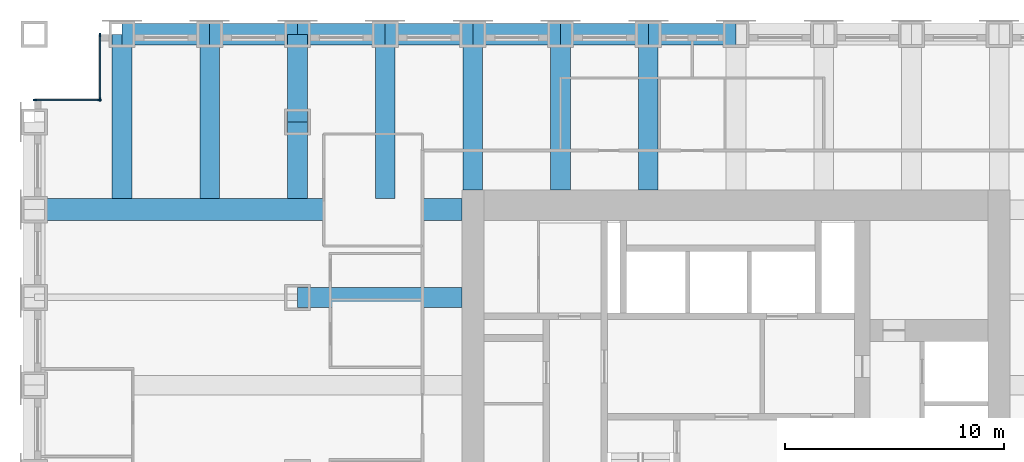
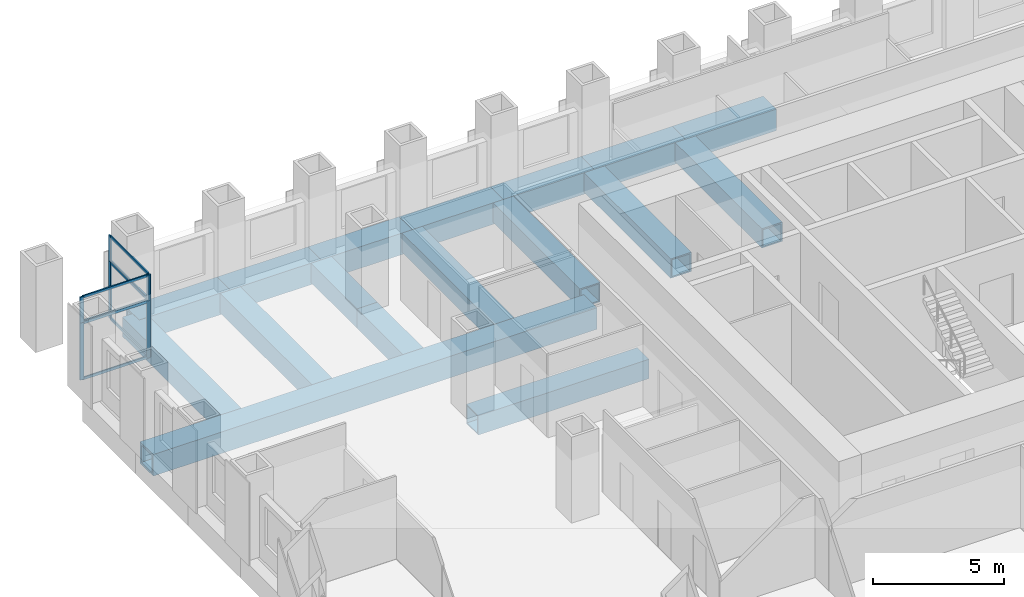
# One storey, part 6 of 15: 17 beams, 16 members, 4 elements without a shape of their own.
"""IFC4 building model written with IfcOpenShell, lengths in metres."""

from ifc_helpers import new_model, si_unit, direction, frame, origin, origin_2d, place, context, subcontext, project, spatial, rectangle, hollow_rectangle, extrude, material, material_profile, profile_set, type_object, element, aggregate, save


model = new_model("IFC4")

# Units and contexts
model_context = context("Model", 3, precision=1e-05, world=origin(), true_north=direction((0.0, 1.0)))
body_context = subcontext(model_context, "Body", "Model", "MODEL_VIEW")
ifc_project = project(units=[si_unit("LENGTHUNIT", "METRE"), si_unit("AREAUNIT", "SQUARE_METRE"), si_unit("VOLUMEUNIT", "CUBIC_METRE"), si_unit("PLANEANGLEUNIT", "RADIAN"), si_unit("MASSUNIT", "GRAM", prefix="KILO")], contexts=[model_context])

# Site, building, storey
site_placement = place(None, origin())
site = spatial("IfcSite", under=ifc_project, at=site_placement, CompositionType="ELEMENT")
building_placement = place(site_placement, origin())
building = spatial("IfcBuilding", under=site, at=building_placement, Name="Rimbunsela Tower", CompositionType="ELEMENT")
storey_placement = place(building_placement, frame((0.0, 0.0, 39.0)))
storey = spatial("IfcBuildingStorey", under=building, at=storey_placement, Name="L09", CompositionType="ELEMENT", Elevation=39.0)

# Beams
ifc_material_1 = material(Name="Steel BJ 55 (fy 410 MPa)", Category="steel")
ifc_material_profile_1 = material_profile(ifc_material_1, hollow_rectangle(XDim=1.0, YDim=1.0, WallThickness=0.10009765625, at=origin_2d()), Name="BOX 1000x1000x100")
ifc_profile_set_1 = profile_set([ifc_material_profile_1], Name="Steel BJ 55 (fy 410 MPa)")
beam_type_1 = type_object("IfcBeamType", Name="Beam BOX 1000x1000x100", PredefinedType="BEAM", material=ifc_profile_set_1)
beam_1_placement = place(storey_placement, frame((-2.0, 36.0, -0.64990234375), z_axis=(1.0, 0.0, 0.0), x_axis=(0.0, 1.0, 0.0)))
element("IfcBeam", 1, at=beam_1_placement, inside=storey, type_object=beam_type_1, Name="Beam B3 L09", PredefinedType="BEAM", context=body_context, shape_type="SweptSolid", body=[
    extrude(hollow_rectangle(XDim=1.0, YDim=1.0, WallThickness=0.10009765625, at=origin_2d()), origin(), (0.0, 0.0, 1.0), 19.5),
])
for number, where, z_axis, x_axis, name in (
    (2, (2.0, 44.0, -0.64990234375), (1.0, 0.0, 0.0), (0.0, 1.0, 0.0), "Beam B3 L09"),
    (3, (6.0, 44.0, -0.64990234375), (1.0, 0.0, 0.0), (0.0, 1.0, 0.0), "Beam B3 L09"),
    (4, (10.0, 44.0, -0.64990234375), (1.0, 0.0, 0.0), (0.0, 1.0, 0.0), "Beam B3 L09"),
    (5, (14.0, 44.0, -0.64990234375), (1.0, 0.0, 0.0), (0.0, 1.0, 0.0), "Beam B3 L09"),
    (6, (18.0, 44.0, -0.64990234375), (1.0, 0.0, 0.0), (0.0, 1.0, 0.0), "Beam B3 L09"),
    (7, (22.0, 44.0, -0.64990234375), (1.0, 0.0, 0.0), (0.0, 1.0, 0.0), "Beam B3 L09"),
    (8, (26.0, 44.0, -0.64990234375), (1.0, 0.0, 0.0), (0.0, 1.0, 0.0), "Beam B3 L09"),
):
    element("IfcBeam", number, at=place(storey_placement, frame(where, z_axis=z_axis, x_axis=x_axis)), inside=storey, type_object=beam_type_1, Name=name, PredefinedType="BEAM", context=body_context, shape_type="SweptSolid", body=[
        extrude(hollow_rectangle(XDim=1.0, YDim=1.0, WallThickness=0.10009765625, at=origin_2d()), origin(), (0.0, 0.0, 1.0), 4.0),
    ])
ifc_material_2 = material(Name="Steel BJ 55 (fy 410 MPa)", Category="steel")
ifc_material_profile_2 = material_profile(ifc_material_2, hollow_rectangle(XDim=0.89990234375, YDim=0.89990234375, WallThickness=0.06005859375, at=origin_2d()), Name="BOX 900x900x60")
ifc_profile_set_2 = profile_set([ifc_material_profile_2], Name="Steel BJ 55 (fy 410 MPa)")
beam_type_2 = type_object("IfcBeamType", Name="Beam BOX 900x900x60", PredefinedType="BEAM", material=ifc_profile_set_2)
for number, where, z_axis, x_axis, name in (
    (9, (2.0, 36.5, -0.60009765625), (0.0, 1.0, 0.0), (-1.0, 0.0, 0.0), "Beam B1 L09"),
    (10, (6.0, 36.5, -0.60009765625), (0.0, 1.0, 0.0), (-1.0, 0.0, 0.0), "Beam B1 L09"),
    (11, (10.0, 32.0, -0.60009765625), (1.0, 0.0, 0.0), (0.0, 1.0, 0.0), "Beam B1 L09"),
):
    element("IfcBeam", number, at=place(storey_placement, frame(where, z_axis=z_axis, x_axis=x_axis)), inside=storey, type_object=beam_type_2, Name=name, PredefinedType="BEAM", context=body_context, shape_type="SweptSolid", body=[
        extrude(hollow_rectangle(XDim=0.89990234375, YDim=0.89990234375, WallThickness=0.06005859375, at=origin_2d()), origin(), (0.0, 0.0, 1.0), 7.5),
    ])
beam_2_placement = place(storey_placement, frame((10.0, 36.5, -0.60009765625), z_axis=(0.0, 1.0, 0.0), x_axis=(-1.0, 0.0, 0.0)))
element("IfcBeam", 12, at=beam_2_placement, inside=storey, type_object=beam_type_2, Name="Beam B1 L09", PredefinedType="BEAM", context=body_context, shape_type="SweptSolid", body=[
    extrude(hollow_rectangle(XDim=0.89990234375, YDim=0.89990234375, WallThickness=0.06005859375, at=origin_2d()), origin(), (0.0, 0.0, 1.0), 3.5),
])
beam_3_placement = place(storey_placement, frame((10.0, 40.0, -0.60009765625), z_axis=(0.0, 1.0, 0.0), x_axis=(-1.0, 0.0, 0.0)))
element("IfcBeam", 13, at=beam_3_placement, inside=storey, type_object=beam_type_2, Name="Beam B1 L09", PredefinedType="BEAM", context=body_context, shape_type="SweptSolid", body=[
    extrude(hollow_rectangle(XDim=0.89990234375, YDim=0.89990234375, WallThickness=0.06005859375, at=origin_2d()), origin(), (0.0, 0.0, 1.0), 4.0),
])
beam_4_placement = place(storey_placement, frame((14.0, 36.5, -0.60009765625), z_axis=(0.0, 1.0, 0.0), x_axis=(-1.0, 0.0, 0.0)))
element("IfcBeam", 14, at=beam_4_placement, inside=storey, type_object=beam_type_2, Name="Beam B1 L09", PredefinedType="BEAM", context=body_context, shape_type="SweptSolid", body=[
    extrude(hollow_rectangle(XDim=0.89990234375, YDim=0.89990234375, WallThickness=0.06005859375, at=origin_2d()), origin(), (0.0, 0.0, 1.0), 7.5),
])
for number, where, z_axis, x_axis, name in (
    (15, (18.0, 36.89990234375, -0.60009765625), (0.0, 1.0, 0.0), (-1.0, 0.0, 0.0), "Beam B1 L09"),
    (16, (22.0, 36.89990234375, -0.60009765625), (0.0, 1.0, 0.0), (-1.0, 0.0, 0.0), "Beam B1 L09"),
    (17, (26.0, 36.89990234375, -0.60009765625), (0.0, 1.0, 0.0), (-1.0, 0.0, 0.0), "Beam B1 L09"),
):
    element("IfcBeam", number, at=place(storey_placement, frame(where, z_axis=z_axis, x_axis=x_axis)), inside=storey, type_object=beam_type_2, Name=name, PredefinedType="BEAM", context=body_context, shape_type="SweptSolid", body=[
        extrude(hollow_rectangle(XDim=0.89990234375, YDim=0.89990234375, WallThickness=0.06005859375, at=origin_2d()), origin(), (0.0, 0.0, 1.0), 7.10009765625),
    ])

# Curtain wall, members
ifc_material_3 = material(Name="Aluminium curtain wall", Category="aluminium")
curtain_wall_type_1 = type_object("IfcCurtainWallType", Name="Corner glazing", PredefinedType="USERDEFINED", material=ifc_material_3)
curtain_wall_1_placement = place(storey_placement, origin())
curtain_wall_1 = element("IfcCurtainWall", 18, at=curtain_wall_1_placement, inside=storey, type_object=curtain_wall_type_1, Name="Corner glazing L09", ObjectType="CORNER GLAZING", PredefinedType="USERDEFINED")
ifc_material_4 = material(Name="Aluminium mullion", Category="aluminium")
ifc_material_profile_3 = material_profile(ifc_material_4, rectangle(XDim=0.06005859375, YDim=0.159912109375, at=origin_2d()), Name="Mullion 60x160")
ifc_profile_set_3 = profile_set([ifc_material_profile_3], Name="Aluminium mullion")
member_type_1 = type_object("IfcMemberType", Name="Curtain wall mullion 60x160", PredefinedType="MULLION", material=ifc_profile_set_3)
member_1_placement = place(storey_placement, frame((1.0, 43.969970703125, 0.0), z_axis=(0.0, 0.0, 1.0), x_axis=(1.0, 0.0, 0.0)))
member_1 = element("IfcMember", 19, at=member_1_placement, type_object=member_type_1, Name="CW5 mullion 1", PredefinedType="MULLION", context=body_context, shape_type="SweptSolid", body=[
    extrude(rectangle(XDim=0.06005859375, YDim=0.159912109375, at=origin_2d()), origin(), (0.0, 0.0, 1.0), 2.64990234375),
])
member_2_placement = place(storey_placement, frame((1.0, 41.030029296875, 0.0), z_axis=(0.0, 0.0, 1.0), x_axis=(1.0, 0.0, 0.0)))
member_2 = element("IfcMember", 20, at=member_2_placement, type_object=member_type_1, Name="CW5 mullion 2", PredefinedType="MULLION", context=body_context, shape_type="SweptSolid", body=[
    extrude(rectangle(XDim=0.06005859375, YDim=0.159912109375, at=origin_2d()), origin(), (0.0, 0.0, 1.0), 2.64990234375),
])

ifc_material_5 = material(Name="Aluminium curtain wall", Category="aluminium")
curtain_wall_type_2 = type_object("IfcCurtainWallType", Name="Spandrel wall", PredefinedType="USERDEFINED", material=ifc_material_5)
curtain_wall_2_placement = place(storey_placement, origin())
curtain_wall_2 = element("IfcCurtainWall", 21, at=curtain_wall_2_placement, inside=storey, type_object=curtain_wall_type_2, Name="Spandrel wall L09", ObjectType="SPANDREL WALL", PredefinedType="USERDEFINED")
member_3_placement = place(storey_placement, frame((1.0, 43.969970703125, 2.64990234375), z_axis=(0.0, 0.0, 1.0), x_axis=(1.0, 0.0, 0.0)))
member_3 = element("IfcMember", 22, at=member_3_placement, type_object=member_type_1, Name="CW7 mullion 1", PredefinedType="MULLION", context=body_context, shape_type="SweptSolid", body=[
    extrude(rectangle(XDim=0.06005859375, YDim=0.159912109375, at=origin_2d()), origin(), (0.0, 0.0, 1.0), 1.2001953125),
])
member_4_placement = place(storey_placement, frame((1.0, 41.030029296875, 2.64990234375), z_axis=(0.0, 0.0, 1.0), x_axis=(1.0, 0.0, 0.0)))
member_4 = element("IfcMember", 23, at=member_4_placement, type_object=member_type_1, Name="CW7 mullion 2", PredefinedType="MULLION", context=body_context, shape_type="SweptSolid", body=[
    extrude(rectangle(XDim=0.06005859375, YDim=0.159912109375, at=origin_2d()), origin(), (0.0, 0.0, 1.0), 1.2001953125),
])

curtain_wall_3_placement = place(storey_placement, origin())
curtain_wall_3 = element("IfcCurtainWall", 24, at=curtain_wall_3_placement, inside=storey, type_object=curtain_wall_type_1, Name="Corner glazing L09", ObjectType="CORNER GLAZING", PredefinedType="USERDEFINED")
member_5_placement = place(storey_placement, frame((0.969970703125, 41.0, 0.0), z_axis=(0.0, 0.0, 1.0), x_axis=(0.0, -1.0, 0.0)))
member_5 = element("IfcMember", 25, at=member_5_placement, type_object=member_type_1, Name="CW5 mullion 1", PredefinedType="MULLION", context=body_context, shape_type="SweptSolid", body=[
    extrude(rectangle(XDim=0.06005859375, YDim=0.159912109375, at=origin_2d()), origin(), (0.0, 0.0, 1.0), 2.64990234375),
])
member_6_placement = place(storey_placement, frame((-1.969970703125, 41.0, 0.0), z_axis=(0.0, 0.0, 1.0), x_axis=(0.0, -1.0, 0.0)))
member_6 = element("IfcMember", 26, at=member_6_placement, type_object=member_type_1, Name="CW5 mullion 2", PredefinedType="MULLION", context=body_context, shape_type="SweptSolid", body=[
    extrude(rectangle(XDim=0.06005859375, YDim=0.159912109375, at=origin_2d()), origin(), (0.0, 0.0, 1.0), 2.64990234375),
])

curtain_wall_4_placement = place(storey_placement, origin())
curtain_wall_4 = element("IfcCurtainWall", 27, at=curtain_wall_4_placement, inside=storey, type_object=curtain_wall_type_2, Name="Spandrel wall L09", ObjectType="SPANDREL WALL", PredefinedType="USERDEFINED")
member_7_placement = place(storey_placement, frame((0.969970703125, 41.0, 2.64990234375), z_axis=(0.0, 0.0, 1.0), x_axis=(0.0, -1.0, 0.0)))
member_7 = element("IfcMember", 28, at=member_7_placement, type_object=member_type_1, Name="CW7 mullion 1", PredefinedType="MULLION", context=body_context, shape_type="SweptSolid", body=[
    extrude(rectangle(XDim=0.06005859375, YDim=0.159912109375, at=origin_2d()), origin(), (0.0, 0.0, 1.0), 1.2001953125),
])
member_8_placement = place(storey_placement, frame((-1.969970703125, 41.0, 2.64990234375), z_axis=(0.0, 0.0, 1.0), x_axis=(0.0, -1.0, 0.0)))
member_8 = element("IfcMember", 29, at=member_8_placement, type_object=member_type_1, Name="CW7 mullion 2", PredefinedType="MULLION", context=body_context, shape_type="SweptSolid", body=[
    extrude(rectangle(XDim=0.06005859375, YDim=0.159912109375, at=origin_2d()), origin(), (0.0, 0.0, 1.0), 1.2001953125),
])

# Member
ifc_material_6 = material(Name="Aluminium transom", Category="aluminium")
ifc_material_profile_4 = material_profile(ifc_material_6, rectangle(XDim=0.06005859375, YDim=0.1201171875, at=origin_2d()), Name="Transom 60x120")
ifc_profile_set_4 = profile_set([ifc_material_profile_4], Name="Aluminium transom")
member_type_2 = type_object("IfcMemberType", Name="Curtain wall transom 60x120", PredefinedType="USERDEFINED", material=ifc_profile_set_4)
member_9_placement = place(storey_placement, frame((1.0, 43.93994140625, 0.030029296875), z_axis=(0.0, -1.0, 0.0), x_axis=(1.0, 0.0, 0.0)))
member_9 = element("IfcMember", 30, at=member_9_placement, type_object=member_type_2, Name="CW5 transom 1.1", ObjectType="TRANSOM", PredefinedType="USERDEFINED", context=body_context, shape_type="SweptSolid", body=[
    extrude(rectangle(XDim=0.06005859375, YDim=0.1201171875, at=origin_2d()), origin(), (0.0, 0.0, 1.0), 2.8798828125),
])

member_10_placement = place(storey_placement, frame((1.0, 43.93994140625, 2.6201171875), z_axis=(0.0, -1.0, 0.0), x_axis=(1.0, 0.0, 0.0)))
member_10 = element("IfcMember", 31, at=member_10_placement, type_object=member_type_2, Name="CW5 transom 1.2", ObjectType="TRANSOM", PredefinedType="USERDEFINED", context=body_context, shape_type="SweptSolid", body=[
    extrude(rectangle(XDim=0.06005859375, YDim=0.1201171875, at=origin_2d()), origin(), (0.0, 0.0, 1.0), 2.8798828125),
])

aggregate(curtain_wall_1, [member_1, member_2, member_9, member_10])

member_11_placement = place(storey_placement, frame((1.0, 43.93994140625, 2.679931640625), z_axis=(0.0, -1.0, 0.0), x_axis=(1.0, 0.0, 0.0)))
member_11 = element("IfcMember", 32, at=member_11_placement, type_object=member_type_2, Name="CW7 transom 1.1", ObjectType="TRANSOM", PredefinedType="USERDEFINED", context=body_context, shape_type="SweptSolid", body=[
    extrude(rectangle(XDim=0.06005859375, YDim=0.1201171875, at=origin_2d()), origin(), (0.0, 0.0, 1.0), 2.8798828125),
])

member_12_placement = place(storey_placement, frame((1.0, 43.93994140625, 3.820068359375), z_axis=(0.0, -1.0, 0.0), x_axis=(1.0, 0.0, 0.0)))
member_12 = element("IfcMember", 33, at=member_12_placement, type_object=member_type_2, Name="CW7 transom 1.2", ObjectType="TRANSOM", PredefinedType="USERDEFINED", context=body_context, shape_type="SweptSolid", body=[
    extrude(rectangle(XDim=0.06005859375, YDim=0.1201171875, at=origin_2d()), origin(), (0.0, 0.0, 1.0), 2.8798828125),
])

aggregate(curtain_wall_2, [member_3, member_4, member_11, member_12])

member_13_placement = place(storey_placement, frame((0.93994140625, 41.0, 0.030029296875), z_axis=(-1.0, 0.0, 0.0), x_axis=(0.0, -1.0, 0.0)))
member_13 = element("IfcMember", 34, at=member_13_placement, type_object=member_type_2, Name="CW5 transom 1.1", ObjectType="TRANSOM", PredefinedType="USERDEFINED", context=body_context, shape_type="SweptSolid", body=[
    extrude(rectangle(XDim=0.06005859375, YDim=0.1201171875, at=origin_2d()), origin(), (0.0, 0.0, 1.0), 2.8798828125),
])

member_14_placement = place(storey_placement, frame((0.93994140625, 41.0, 2.6201171875), z_axis=(-1.0, 0.0, 0.0), x_axis=(0.0, -1.0, 0.0)))
member_14 = element("IfcMember", 35, at=member_14_placement, type_object=member_type_2, Name="CW5 transom 1.2", ObjectType="TRANSOM", PredefinedType="USERDEFINED", context=body_context, shape_type="SweptSolid", body=[
    extrude(rectangle(XDim=0.06005859375, YDim=0.1201171875, at=origin_2d()), origin(), (0.0, 0.0, 1.0), 2.8798828125),
])

aggregate(curtain_wall_3, [member_5, member_6, member_13, member_14])

member_15_placement = place(storey_placement, frame((0.93994140625, 41.0, 2.679931640625), z_axis=(-1.0, 0.0, 0.0), x_axis=(0.0, -1.0, 0.0)))
member_15 = element("IfcMember", 36, at=member_15_placement, type_object=member_type_2, Name="CW7 transom 1.1", ObjectType="TRANSOM", PredefinedType="USERDEFINED", context=body_context, shape_type="SweptSolid", body=[
    extrude(rectangle(XDim=0.06005859375, YDim=0.1201171875, at=origin_2d()), origin(), (0.0, 0.0, 1.0), 2.8798828125),
])

member_16_placement = place(storey_placement, frame((0.93994140625, 41.0, 3.820068359375), z_axis=(-1.0, 0.0, 0.0), x_axis=(0.0, -1.0, 0.0)))
member_16 = element("IfcMember", 37, at=member_16_placement, type_object=member_type_2, Name="CW7 transom 1.2", ObjectType="TRANSOM", PredefinedType="USERDEFINED", context=body_context, shape_type="SweptSolid", body=[
    extrude(rectangle(XDim=0.06005859375, YDim=0.1201171875, at=origin_2d()), origin(), (0.0, 0.0, 1.0), 2.8798828125),
])

aggregate(curtain_wall_4, [member_7, member_8, member_15, member_16])

save(model, "model.ifc")
